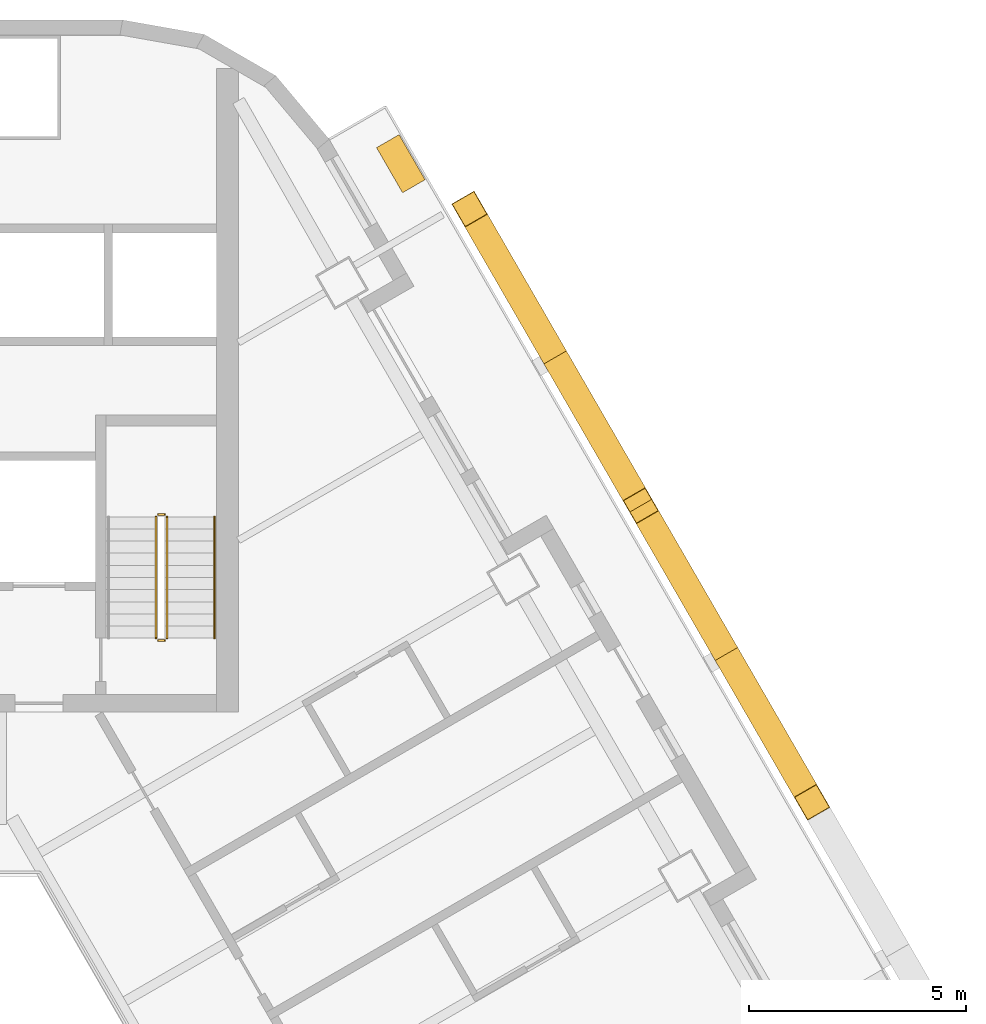
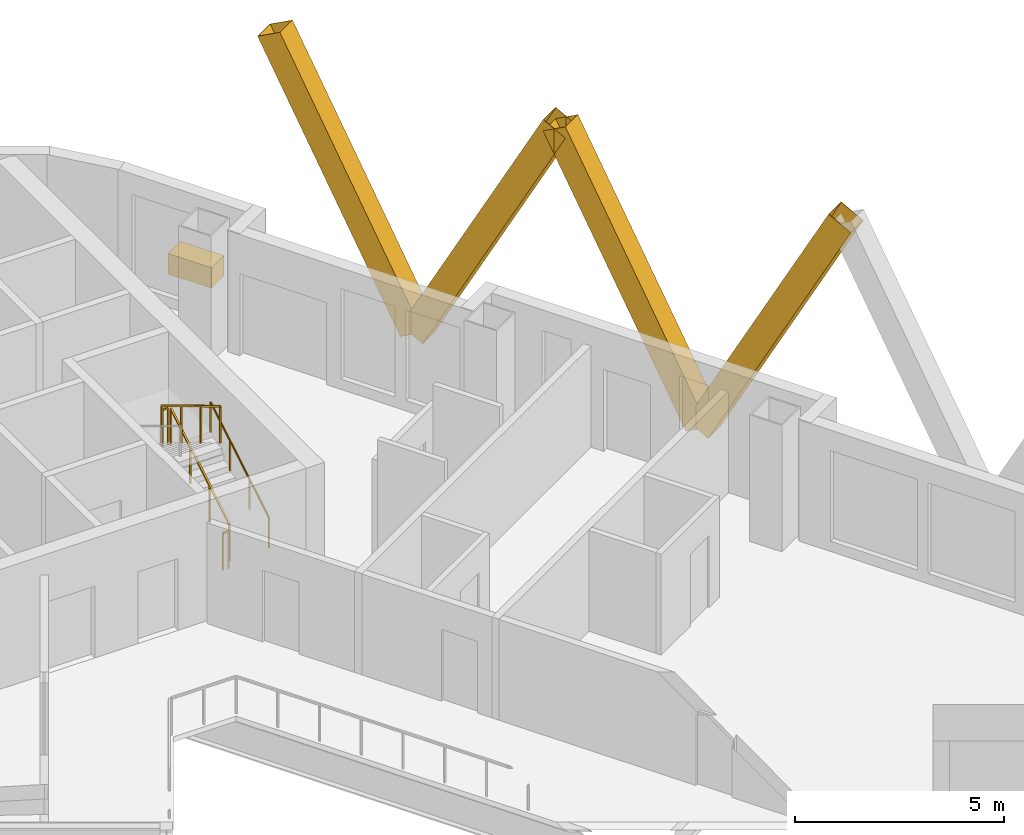
# One storey, part 14 of 14: 5 railings, 4 shading devices, 1 covering.
"""IFC4 building model written with IfcOpenShell, lengths in metres."""

from ifc_helpers import new_model, si_unit, direction, frame, origin, origin_2d, place, context, subcontext, project, spatial, rectangle, hollow_rectangle, circle, extrude, material, material_profile, profile_set, type_object, element, save


model = new_model("IFC4")

# Units and contexts
model_context = context("Model", 3, precision=1e-05, world=origin(), true_north=direction((0.0, 1.0)))
body_context = subcontext(model_context, "Body", "Model", "MODEL_VIEW")
ifc_project = project(units=[si_unit("LENGTHUNIT", "METRE"), si_unit("AREAUNIT", "SQUARE_METRE"), si_unit("VOLUMEUNIT", "CUBIC_METRE"), si_unit("PLANEANGLEUNIT", "RADIAN"), si_unit("MASSUNIT", "GRAM", prefix="KILO")], contexts=[model_context])

# Site, building, storey
site_placement = place(None, origin())
site = spatial("IfcSite", under=ifc_project, at=site_placement, CompositionType="ELEMENT")
building_placement = place(site_placement, origin())
building = spatial("IfcBuilding", under=site, at=building_placement, Name="Apuvela Tower Hotel", CompositionType="ELEMENT")
storey_placement = place(building_placement, frame((0.0, 0.0, 98.300048828125)))
storey = spatial("IfcBuildingStorey", under=building, at=storey_placement, Name="L22", CompositionType="ELEMENT", Elevation=98.300048828125)

# Railings
ifc_material_1 = material(Name="Steel S275 balustrade", Category="steel")
railing_type_1 = type_object("IfcRailingType", Name="COR-GUARD-1100", PredefinedType="GUARDRAIL", material=ifc_material_1)
railing_1_placement = place(storey_placement, frame((3.85009765625, 14.60009765625, 0.168212890625)))
element("IfcRailing", 1, at=railing_1_placement, inside=storey, type_object=railing_type_1, Name="L22 ST1 stair guard 1", PredefinedType="GUARDRAIL", context=body_context, shape_type="SweptSolid", body=[
    extrude(rectangle(XDim=0.048095703125, YDim=0.048095703125, at=origin_2d()), frame((0.0, 0.0, 1.076171875), z_axis=(0.0, 0.857255387014, 0.514891446264), x_axis=(-1.0, 0.0, 0.0)), (0.0, 0.0, 1.0), 3.26611328125),
    extrude(rectangle(XDim=0.0419921875, YDim=0.0419921875, at=origin_2d()), origin(), (0.0, 0.0, 1.0), 1.052001953125),
    extrude(rectangle(XDim=0.0419921875, YDim=0.0419921875, at=origin_2d()), frame((0.0, 0.933349609375, 0.560546875)), (0.0, 0.0, 1.0), 1.052001953125),
    extrude(rectangle(XDim=0.0419921875, YDim=0.0419921875, at=origin_2d()), frame((0.0, 1.866455078125, 1.12109375)), (0.0, 0.0, 1.0), 1.052001953125),
    extrude(rectangle(XDim=0.0419921875, YDim=0.0419921875, at=origin_2d()), frame((0.0, 2.7998046875, 1.681640625)), (0.0, 0.0, 1.0), 1.052001953125),
])
railing_2_placement = place(storey_placement, frame((3.800048828125, 17.449951171875, 1.849853515625)))
element("IfcRailing", 2, at=railing_2_placement, inside=storey, type_object=railing_type_1, Name="L22 ST1 stair guard 2", PredefinedType="GUARDRAIL", context=body_context, shape_type="SweptSolid", body=[
    extrude(rectangle(XDim=0.048095703125, YDim=0.048095703125, at=origin_2d()), frame((0.0, 0.0, 1.076171875), z_axis=(-1.0, 0.0, 0.0), x_axis=(0.0, -1.0, 0.0)), (0.0, 0.0, 1.0), 0.150146484375),
    extrude(rectangle(XDim=0.0419921875, YDim=0.0419921875, at=origin_2d()), origin(), (0.0, 0.0, 1.0), 1.052001953125),
    extrude(rectangle(XDim=0.0419921875, YDim=0.0419921875, at=origin_2d()), frame((-0.150146484375, 0.0, 0.0)), (0.0, 0.0, 1.0), 1.052001953125),
])
railing_3_placement = place(storey_placement, frame((3.60009765625, 17.39990234375, 2.01806640625)))
element("IfcRailing", 3, at=railing_3_placement, inside=storey, type_object=railing_type_1, Name="L22 ST1 stair guard 3", PredefinedType="GUARDRAIL", context=body_context, shape_type="SweptSolid", body=[
    extrude(rectangle(XDim=0.048095703125, YDim=0.048095703125, at=origin_2d()), frame((0.0, 0.0, 1.076171875), z_axis=(0.0, -0.857222391501, 0.514946377315), x_axis=(1.0, 0.0, 0.0)), (0.0, 0.0, 1.0), 3.26611328125),
    extrude(rectangle(XDim=0.0419921875, YDim=0.0419921875, at=origin_2d()), origin(), (0.0, 0.0, 1.0), 1.052001953125),
    extrude(rectangle(XDim=0.0419921875, YDim=0.0419921875, at=origin_2d()), frame((0.0, -0.933349609375, 0.560546875)), (0.0, 0.0, 1.0), 1.052001953125),
    extrude(rectangle(XDim=0.0419921875, YDim=0.0419921875, at=origin_2d()), frame((0.0, -1.866455078125, 1.121337890625)), (0.0, 0.0, 1.0), 1.052001953125),
    extrude(rectangle(XDim=0.0419921875, YDim=0.0419921875, at=origin_2d()), frame((0.0, -2.7998046875, 1.681884765625)), (0.0, 0.0, 1.0), 1.052001953125),
])
railing_4_placement = place(storey_placement, frame((3.800048828125, 14.550048828125, 0.0)))
element("IfcRailing", 4, at=railing_4_placement, inside=storey, type_object=railing_type_1, Name="L22 ST1 stair guard 4", PredefinedType="GUARDRAIL", context=body_context, shape_type="SweptSolid", body=[
    extrude(rectangle(XDim=0.048095703125, YDim=0.048095703125, at=origin_2d()), frame((0.0, 0.0, 1.076171875), z_axis=(-1.0, 0.0, 0.0), x_axis=(0.0, -1.0, 0.0)), (0.0, 0.0, 1.0), 0.150146484375),
    extrude(rectangle(XDim=0.0419921875, YDim=0.0419921875, at=origin_2d()), origin(), (0.0, 0.0, 1.0), 1.052001953125),
    extrude(rectangle(XDim=0.0419921875, YDim=0.0419921875, at=origin_2d()), frame((-0.150146484375, 0.0, 0.0)), (0.0, 0.0, 1.0), 1.052001953125),
])
ifc_material_2 = material(Name="Stainless steel 316 handrail", Category="steel")
railing_type_2 = type_object("IfcRailingType", Name="COR-HANDRAIL-900", PredefinedType="HANDRAIL", material=ifc_material_2)
railing_5_placement = place(storey_placement, frame((4.949951171875, 14.60009765625, 0.168212890625)))
element("IfcRailing", 5, at=railing_5_placement, inside=storey, type_object=railing_type_2, Name="L22 ST1 stair handrail 1", PredefinedType="HANDRAIL", context=body_context, shape_type="SweptSolid", body=[
    extrude(circle(Radius=0.02392578125, at=origin_2d()), frame((0.0, 0.0, 0.8759765625), z_axis=(0.0, 0.857255387014, 0.514891446264), x_axis=(-1.0, 0.0, 0.0)), (0.0, 0.0, 1.0), 3.26611328125),
    extrude(rectangle(XDim=0.0419921875, YDim=0.0419921875, at=origin_2d()), origin(), (0.0, 0.0, 1.0), 0.851806640625),
    extrude(rectangle(XDim=0.0419921875, YDim=0.0419921875, at=origin_2d()), frame((0.0, 0.933349609375, 0.560546875)), (0.0, 0.0, 1.0), 0.851806640625),
    extrude(rectangle(XDim=0.0419921875, YDim=0.0419921875, at=origin_2d()), frame((0.0, 1.866455078125, 1.12109375)), (0.0, 0.0, 1.0), 0.851806640625),
    extrude(rectangle(XDim=0.0419921875, YDim=0.0419921875, at=origin_2d()), frame((0.0, 2.7998046875, 1.681640625)), (0.0, 0.0, 1.0), 0.851806640625),
])

# Shading devices
ifc_material_3 = material(Name="Aluminium 6063-T6, black anodised", Category="aluminium")
ifc_material_profile = material_profile(ifc_material_3, hollow_rectangle(XDim=0.60009765625, YDim=0.699951171875, WallThickness=0.011962890625, at=origin_2d()), Name="AL BOX 700x600x12")
ifc_profile_set = profile_set([ifc_material_profile], Name="Aluminium 6063-T6, black anodised")
shading_device_type = type_object("IfcShadingDeviceType", Name="ENV-FIN-700x600", PredefinedType="USERDEFINED", material=ifc_profile_set)
for number, where, z_axis, x_axis, name in (
    (6, (16.757080078125, 14.23583984375, -0.10009765625), (0.235455039791, -0.407811621453, 0.882185131163), (0.866020906874, 0.500007788796, 0.0), "Lattice fin NE205"),
    (7, (16.757080078125, 14.23583984375, -0.10009765625), (-0.235457834389, 0.407787356937, 0.88219560175), (-0.866005453737, -0.500034552904, 0.0), "Lattice fin NE206"),
    (8, (12.80712890625, 21.077392578125, -0.10009765625), (0.235427548578, -0.407814415956, 0.882191176281), (0.866047669374, 0.499961432884, 0.0), "Lattice fin NE207"),
    (9, (12.80712890625, 21.077392578125, -0.10009765625), (-0.235455039791, 0.407811621453, 0.882185131163), (-0.866020906874, -0.500007788796, 0.0), "Lattice fin NE208"),
):
    element("IfcShadingDevice", number, at=place(storey_placement, frame(where, z_axis=z_axis, x_axis=x_axis)), inside=storey, type_object=shading_device_type, Name=name, ObjectType="FIN", PredefinedType="USERDEFINED", context=body_context, shape_type="SweptSolid", body=[
        extrude(hollow_rectangle(XDim=0.60009765625, YDim=0.699951171875, WallThickness=0.011962890625, at=origin_2d()), origin(), (0.0, 0.0, 1.0), 8.388427734375),
    ])

# Covering
ifc_material_4 = material(Name="Planting substrate and soil, planted")
covering_type = type_object("IfcCoveringType", Name="ENV-PLANTER-1200x600", PredefinedType="USERDEFINED", material=ifc_material_4)
covering_placement = place(storey_placement, frame((9.24609375, 25.54541015625, 0.0), z_axis=(0.0, 0.0, 1.0), x_axis=(-0.5, 0.866025403784, 0.0)))
element("IfcCovering", 10, at=covering_placement, inside=storey, type_object=covering_type, Name="Planter NE4", ObjectType="PLANTER", PredefinedType="USERDEFINED", context=body_context, shape_type="SweptSolid", body=[
    extrude(rectangle(XDim=1.199951171875, YDim=0.60009765625, at=origin_2d()), origin(), (0.0, 0.0, 1.0), 0.60009765625),
])

save(model, "model.ifc")
